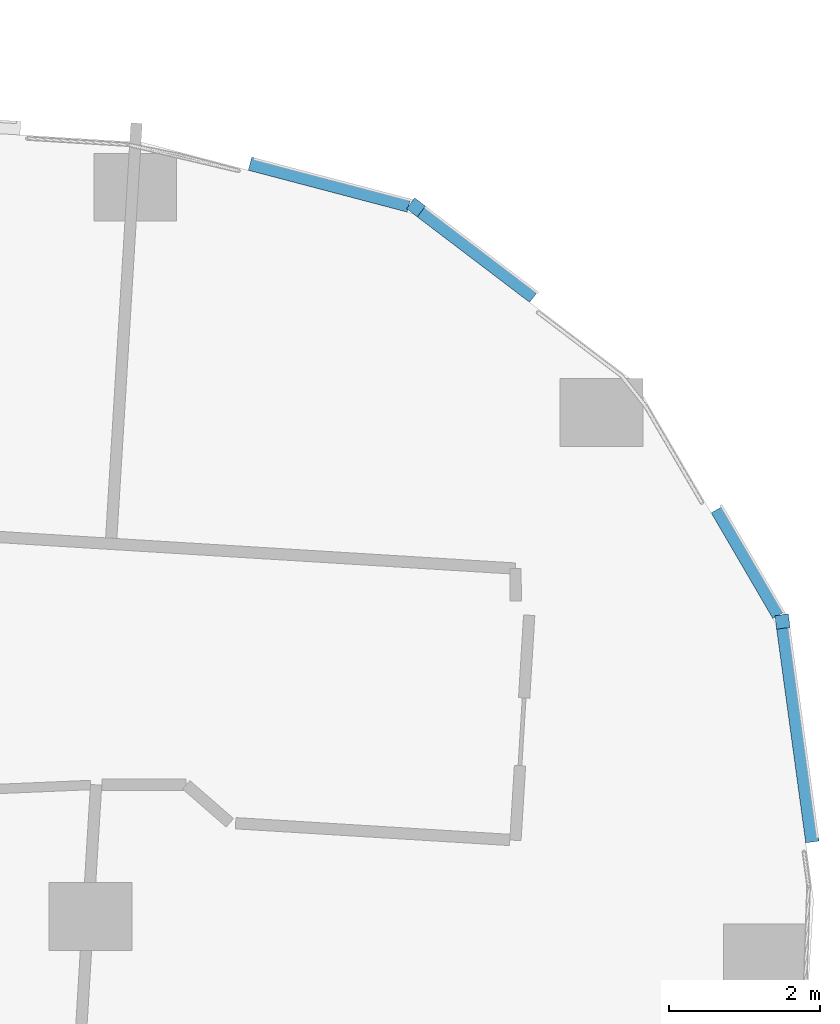
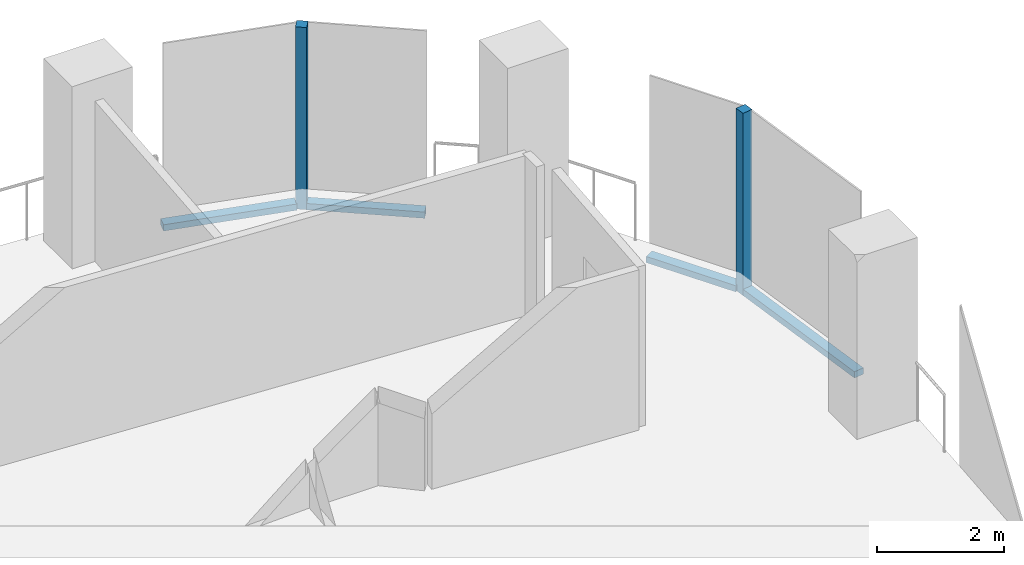
# One storey, part 13 of 34: 6 members, 4 elements without a shape of their own.
"""IFC4 building model written with IfcOpenShell, lengths in metres."""

import ifcopenshell
import ifcopenshell.guid

model = None  # the IFC model being written
_history = None  # IfcOwnerHistory: only IFC2X3 demands one
_inside = {}  # id of a spatial element -> (the spatial element, [elements in it])
_under = {}  # id of a project, library or spatial element -> (it, [spatial elements below it])
_declared = {}  # id of a project -> (the project, [libraries it declares])
_typed = {}  # id of a type object -> (the type object, [elements of that type])
_made_of = {}  # id of a material, layer set ... -> (it, [elements and type objects made of it])


def new_model(schema):
    """Start an empty IFC model of exactly this schema.

    Asked for "IFC4X3", IfcOpenShell would pick the latest addendum, in which some entities
    have other attributes; the version numbers below select the first issue.
    IFC2X3 requires an IfcOwnerHistory on every rooted entity: one is made here for all.
    """
    global model, _history
    if schema == "IFC4X3":
        model = ifcopenshell.file(schema_version=(4, 3, 0, 0))
    else:
        model = ifcopenshell.file(schema=schema)
    _inside.clear()
    _under.clear()
    _declared.clear()
    _typed.clear()
    _made_of.clear()
    _history = None
    if model.schema == "IFC2X3":
        org = make("IfcOrganization", Name="unknown")
        user = make(
            "IfcPersonAndOrganization",
            ThePerson=make("IfcPerson", FamilyName="unknown"),
            TheOrganization=org,
        )
        app = make(
            "IfcApplication",
            ApplicationDeveloper=org,
            Version="unknown",
            ApplicationFullName="unknown",
            ApplicationIdentifier="unknown",
        )
        _history = make(
            "IfcOwnerHistory",
            OwningUser=user,
            OwningApplication=app,
            ChangeAction="ADDED",
            CreationDate=0,
        )
    return model


def make(cls, **values):
    """One entity of the class cls with the attributes given. An attribute that is None is left unset."""
    return model.create_entity(
        cls, **{name: value for name, value in values.items() if value is not None}
    )


def rooted(cls, **values):
    """An entity with a GlobalId (a new one), such as an element, a storey or a relation."""
    return make(cls, GlobalId=ifcopenshell.guid.new(), OwnerHistory=_history, **values)


def si_unit(unit_type, name, prefix=None):
    """IfcSIUnit, for example si_unit("LENGTHUNIT", "METRE", prefix="MILLI")."""
    return make("IfcSIUnit", UnitType=unit_type, Prefix=prefix, Name=name)


def assignment(units):
    """IfcUnitAssignment: the units of a project."""
    return None if units is None else make("IfcUnitAssignment", Units=units)


def point(xyz):
    """IfcCartesianPoint."""
    return None if xyz is None else make("IfcCartesianPoint", Coordinates=xyz)


def direction(xyz):
    """IfcDirection."""
    return None if xyz is None else make("IfcDirection", DirectionRatios=xyz)


def frame(location, z_axis=None, x_axis=None):
    """IfcAxis2Placement3D, a coordinate frame: its origin and axes. An axis left out is left unset."""
    return make(
        "IfcAxis2Placement3D",
        Location=point(location),
        Axis=direction(z_axis),
        RefDirection=direction(x_axis),
    )


def frame_2d(location, x_axis=None):
    """IfcAxis2Placement2D, a coordinate frame in the plane: its origin and x axis."""
    return make(
        "IfcAxis2Placement2D", Location=point(location), RefDirection=direction(x_axis)
    )


def origin():
    """The frame at (0, 0, 0) with its axes left unset."""
    return frame((0.0, 0.0, 0.0))


def origin_2d():
    """The frame at (0, 0) in the plane with its x axis left unset."""
    return frame_2d((0.0, 0.0))


def place(relative_to, where):
    """IfcLocalPlacement: puts the frame where relative to a parent placement (None: the world)."""
    return make(
        "IfcLocalPlacement", PlacementRelTo=relative_to, RelativePlacement=where
    )


def context(
    kind, dimensions, precision=None, world=None, true_north=None, identifier=None
):
    """IfcGeometricRepresentationContext, for example the 3D "Model" context."""
    return make(
        "IfcGeometricRepresentationContext",
        ContextIdentifier=identifier,
        ContextType=kind,
        CoordinateSpaceDimension=dimensions,
        Precision=precision,
        WorldCoordinateSystem=world,
        TrueNorth=true_north,
    )


def subcontext(parent, identifier, kind, view, scale=None):
    """IfcGeometricRepresentationSubContext, for example "Body" below "Model"."""
    return make(
        "IfcGeometricRepresentationSubContext",
        ContextIdentifier=identifier,
        ContextType=kind,
        ParentContext=parent,
        TargetScale=scale,
        TargetView=view,
    )


def project(units=None, contexts=None):
    """IfcProject with its units and contexts."""
    return rooted(
        "IfcProject",
        Name="project",
        RepresentationContexts=contexts,
        UnitsInContext=assignment(units),
    )


def spatial(cls, under=None, at=None, **own):
    """A site, building, storey or space (cls), placed at a placement, below another one or the project."""
    s = rooted(cls, ObjectPlacement=at, **own)
    if under is not None:
        _under.setdefault(under.id(), (under, []))[1].append(s)
    return s


def profile(cls, at=None, kind="AREA", **sizes):
    """A parametric profile (cls). Its sizes go by their IFC names, for example OverallWidth=200.0."""
    return make(cls, ProfileType=kind, Position=at, **sizes)


def rectangle(**sizes):
    """IfcRectangleProfileDef."""
    return profile("IfcRectangleProfileDef", **sizes)


def extrude(swept, where, along, depth):
    """IfcExtrudedAreaSolid: the profile swept, set in the frame where, extruded along a direction by depth."""
    return make(
        "IfcExtrudedAreaSolid",
        SweptArea=swept,
        Position=where,
        ExtrudedDirection=direction(along),
        Depth=depth,
    )


def shape(context_of_items, identifier, shape_type, items):
    """IfcShapeRepresentation: the items that make up one representation, for example the "Body"."""
    return make(
        "IfcShapeRepresentation",
        ContextOfItems=context_of_items,
        RepresentationIdentifier=identifier,
        RepresentationType=shape_type,
        Items=items,
    )


def material(Name=None, Category=None):
    """IfcMaterial."""
    return make("IfcMaterial", Name=Name, Category=Category)


def material_profile(
    of_material, cross_section, Name=None, Category=None, Priority=None
):
    """IfcMaterialProfile: a cross section and its material."""
    return make(
        "IfcMaterialProfile",
        Name=Name,
        Material=of_material,
        Profile=cross_section,
        Priority=Priority,
        Category=Category,
    )


def profile_set(profiles, Name=None, composite=None):
    """IfcMaterialProfileSet."""
    return make(
        "IfcMaterialProfileSet",
        Name=Name,
        MaterialProfiles=profiles,
        CompositeProfile=composite,
    )


def made_of(thing, what):
    """Note that an element or type object is made of a material, layer set ...; save() writes the relation."""
    if what is not None:
        _made_of.setdefault(what.id(), (what, []))[1].append(thing)
    return thing


def type_object(cls, material=None, **own):
    """A type object (cls), such as IfcWallType, which elements share."""
    return made_of(rooted(cls, **own), material)


def element(
    cls,
    number,
    at=None,
    inside=None,
    cuts=None,
    type_object=None,
    material=None,
    context=None,
    identifier="Body",
    shape_type=None,
    held_by="IfcProductDefinitionShape",
    body=None,
    shapes=None,
    **own,
):
    """One element of the class cls, such as IfcWall. Its Tag is "e" and its number.

    at: its placement. inside: the storey or other place that contains it. cuts: it is an
    opening in that element (IfcRelVoidsElement). A single representation is given by context,
    identifier, shape_type and body (its items); several are given by shapes. held_by: the class
    of the entity that holds the representations. save() writes the other relations.
    """
    e = rooted(cls, Tag="e%d" % number, ObjectPlacement=at, **own)
    if body is not None:
        shapes = [shape(context, identifier, shape_type, body)]
    if shapes is not None:
        e.Representation = make(held_by, Representations=shapes)
    if inside is not None:
        _inside.setdefault(inside.id(), (inside, []))[1].append(e)
    if cuts is not None:
        rooted(
            "IfcRelVoidsElement", RelatingBuildingElement=cuts, RelatedOpeningElement=e
        )
    if type_object is not None:
        _typed.setdefault(type_object.id(), (type_object, []))[1].append(e)
    return made_of(e, material)


def aggregate(whole, parts):
    """IfcRelAggregates: a whole, such as a stair, and the parts it consists of."""
    return rooted("IfcRelAggregates", RelatingObject=whole, RelatedObjects=parts)


def save(model, path):
    """Write the relations noted so far, then the file.

    IfcRelAggregates (storeys below a building ...), IfcRelContainedInSpatialStructure (elements
    in a storey), IfcRelDefinesByType, IfcRelAssociatesMaterial and IfcRelDeclares: one each for
    every whole, place, type object, material and project.
    """
    for whole, parts in _under.values():
        aggregate(whole, parts)
    for where, things in _inside.values():
        rooted(
            "IfcRelContainedInSpatialStructure",
            RelatedElements=things,
            RelatingStructure=where,
        )
    for kind, things in _typed.values():
        rooted("IfcRelDefinesByType", RelatedObjects=things, RelatingType=kind)
    for what, things in _made_of.values():
        rooted("IfcRelAssociatesMaterial", RelatedObjects=things, RelatingMaterial=what)
    for by, libraries in _declared.values():
        rooted("IfcRelDeclares", RelatingContext=by, RelatedDefinitions=libraries)
    model.write(path)


model = new_model("IFC4")

# Units and contexts
model_context = context("Model", 3, precision=1e-05, world=origin(), true_north=direction((0.0, 1.0)))
body_context = subcontext(model_context, "Body", "Model", "MODEL_VIEW")
ifc_project = project(units=[si_unit("LENGTHUNIT", "METRE"), si_unit("AREAUNIT", "SQUARE_METRE"), si_unit("VOLUMEUNIT", "CUBIC_METRE"), si_unit("PLANEANGLEUNIT", "RADIAN"), si_unit("MASSUNIT", "GRAM", prefix="KILO")], contexts=[model_context])

# Site, building, storey
site_placement = place(None, origin())
site = spatial("IfcSite", under=ifc_project, at=site_placement, CompositionType="ELEMENT")
building_placement = place(site_placement, origin())
building = spatial("IfcBuilding", under=site, at=building_placement, Name="Orlundy Tower", CompositionType="ELEMENT")
storey_placement = place(building_placement, frame((0.0, 0.0, 145.60009765625)))
storey = spatial("IfcBuildingStorey", under=building, at=storey_placement, Name="L37", CompositionType="ELEMENT", Elevation=145.60009765625)

# Curtain wall, member
ifc_material_1 = material(Name="Aluminium bronze anodised", Category="aluminium")
curtain_wall_type = type_object("IfcCurtainWallType", Name="CW1 wall", PredefinedType="NOTDEFINED", material=ifc_material_1)
curtain_wall_1_placement = place(storey_placement, origin())
curtain_wall_1 = element("IfcCurtainWall", 1, at=curtain_wall_1_placement, inside=storey, type_object=curtain_wall_type, Name="CW1 run 020", PredefinedType="NOTDEFINED")
ifc_material_2 = material(Name="Aluminium bronze anodised", Category="aluminium")
ifc_material_profile_1 = material_profile(ifc_material_2, rectangle(XDim=0.179931640625, YDim=0.179931640625, at=origin_2d()), Name="CW1 corner post 180x180")
ifc_profile_set_1 = profile_set([ifc_material_profile_1], Name="Aluminium bronze anodised")
member_type_1 = type_object("IfcMemberType", Name="CW1 corner post 180x180", PredefinedType="MULLION", material=ifc_profile_set_1)
member_1_placement = place(storey_placement, frame((55.750244140625, 15.987548828125, -0.400146484375), z_axis=(0.0, 0.0, 1.0), x_axis=(0.605124308835, 0.796131001065, 0.0)))
member_1 = element("IfcMember", 2, at=member_1_placement, type_object=member_type_1, Name="CW1 mullion 58", PredefinedType="MULLION", context=body_context, shape_type="SweptSolid", body=[
    extrude(rectangle(XDim=0.179931640625, YDim=0.179931640625, at=origin_2d()), origin(), (0.0, 0.0, 1.0), 3.5),
])

curtain_wall_2_placement = place(storey_placement, origin())
curtain_wall_2 = element("IfcCurtainWall", 3, at=curtain_wall_2_placement, inside=storey, type_object=curtain_wall_type, Name="CW1 run 022", PredefinedType="NOTDEFINED")
member_2_placement = place(storey_placement, frame((60.61474609375, 10.489990234375, -0.400146484375), z_axis=(0.0, 0.0, 1.0), x_axis=(0.990861331967, 0.134884472094, 0.0)))
member_2 = element("IfcMember", 4, at=member_2_placement, type_object=member_type_1, Name="CW1 mullion 60", PredefinedType="MULLION", context=body_context, shape_type="SweptSolid", body=[
    extrude(rectangle(XDim=0.179931640625, YDim=0.179931640625, at=origin_2d()), origin(), (0.0, 0.0, 1.0), 3.5),
])

curtain_wall_3_placement = place(storey_placement, origin())
curtain_wall_3 = element("IfcCurtainWall", 5, at=curtain_wall_3_placement, inside=storey, type_object=curtain_wall_type, Name="CW1 run 019", PredefinedType="NOTDEFINED")
ifc_material_3 = material(Name="Aluminium bronze anodised", Category="aluminium")
ifc_material_profile_2 = material_profile(ifc_material_3, rectangle(XDim=0.179931640625, YDim=0.1201171875, at=origin_2d()), Name="CW1 transom 180x120")
ifc_profile_set_2 = profile_set([ifc_material_profile_2], Name="Aluminium bronze anodised")
member_type_2 = type_object("IfcMemberType", Name="CW1 transom 180x120", PredefinedType="USERDEFINED", material=ifc_profile_set_2)
member_3_placement = place(storey_placement, frame((53.547607421875, 16.567626953125, -0.340087890625), z_axis=(0.967009235519, -0.254741316675, 0.0), x_axis=(0.254741316675, 0.967009235519, 0.0)))
member_3 = element("IfcMember", 6, at=member_3_placement, type_object=member_type_2, Name="CW1 transom", ObjectType="TRANSOM", PredefinedType="USERDEFINED", context=body_context, shape_type="SweptSolid", body=[
    extrude(rectangle(XDim=0.179931640625, YDim=0.1201171875, at=origin_2d()), origin(), (0.0, 0.0, 1.0), 2.180419921875),
])
aggregate(curtain_wall_3, [member_3])

# Member
member_4_placement = place(storey_placement, frame((55.82177734375, 15.93310546875, -0.340087890625), z_axis=(0.79613708479, -0.605116304707, 0.0), x_axis=(0.605116304707, 0.79613708479, 0.0)))
member_4 = element("IfcMember", 7, at=member_4_placement, type_object=member_type_2, Name="CW1 transom", ObjectType="TRANSOM", PredefinedType="USERDEFINED", context=body_context, shape_type="SweptSolid", body=[
    extrude(rectangle(XDim=0.179931640625, YDim=0.1201171875, at=origin_2d()), origin(), (0.0, 0.0, 1.0), 1.873779296875),
])

aggregate(curtain_wall_1, [member_1, member_4])

# Curtain wall, member
curtain_wall_4_placement = place(storey_placement, origin())
curtain_wall_4 = element("IfcCurtainWall", 8, at=curtain_wall_4_placement, inside=storey, type_object=curtain_wall_type, Name="CW1 run 021", PredefinedType="NOTDEFINED")
member_5_placement = place(storey_placement, frame((59.747314453125, 11.9775390625, -0.340087890625), z_axis=(0.503693497915, -0.863882434222, 0.0), x_axis=(0.863882434222, 0.503693497915, 0.0)))
member_5 = element("IfcMember", 9, at=member_5_placement, type_object=member_type_2, Name="CW1 transom", ObjectType="TRANSOM", PredefinedType="USERDEFINED", context=body_context, shape_type="SweptSolid", body=[
    extrude(rectangle(XDim=0.179931640625, YDim=0.1201171875, at=origin_2d()), origin(), (0.0, 0.0, 1.0), 1.624755859375),
])
aggregate(curtain_wall_4, [member_5])

# Member
member_6_placement = place(storey_placement, frame((60.626953125, 10.400634765625, -0.340087890625), z_axis=(0.134850569121, -0.990865946538, 0.0), x_axis=(0.990865946538, 0.134850569121, 0.0)))
member_6 = element("IfcMember", 10, at=member_6_placement, type_object=member_type_2, Name="CW1 transom", ObjectType="TRANSOM", PredefinedType="USERDEFINED", context=body_context, shape_type="SweptSolid", body=[
    extrude(rectangle(XDim=0.179931640625, YDim=0.1201171875, at=origin_2d()), origin(), (0.0, 0.0, 1.0), 2.8623046875),
])

aggregate(curtain_wall_2, [member_2, member_6])

save(model, "model.ifc")
